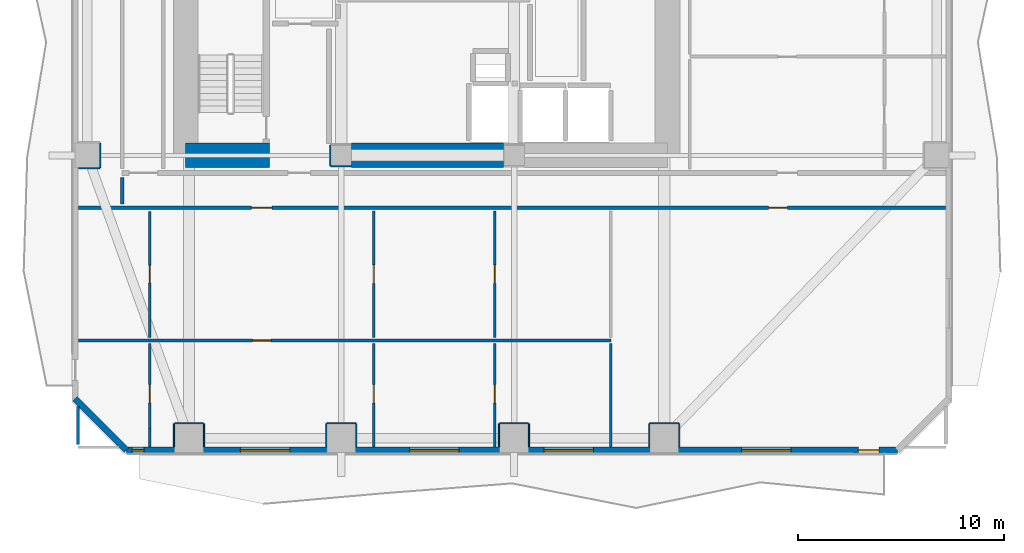
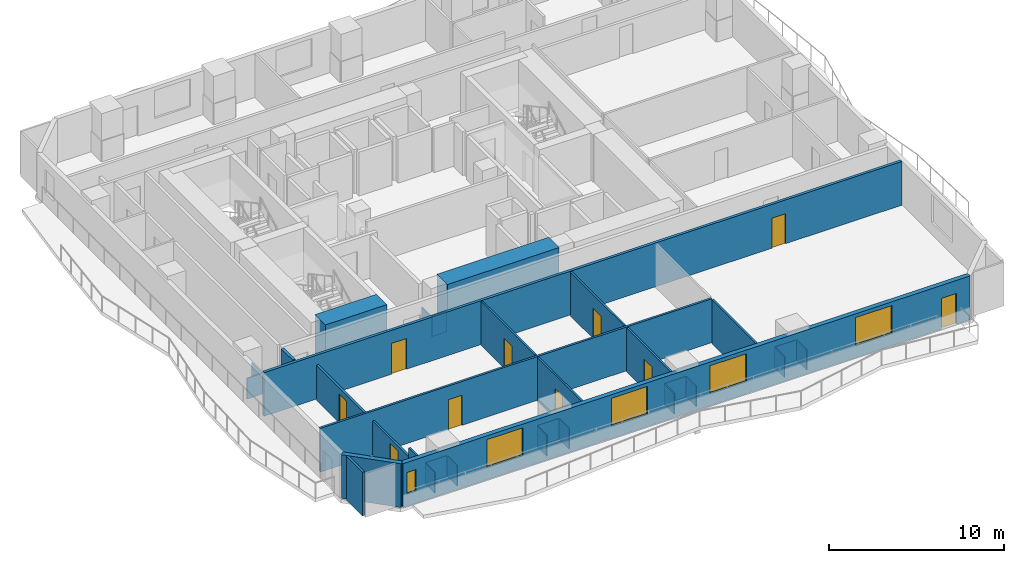
# One storey, part 2 of 9: 32 walls, 10 doors, 5 windows, 15 openings.
"""IFC4 building model written with IfcOpenShell, lengths in metres."""

from ifc_helpers import new_model, si_unit, direction, frame, frame_2d, origin, place, context, subcontext, project, spatial, rectangle, extrude, material, layer, layer_set, type_object, element, fill, save


model = new_model("IFC4")

# Units and contexts
model_context = context("Model", 3, precision=1e-05, world=origin(), true_north=direction((0.0, 1.0)))
body_context = subcontext(model_context, "Body", "Model", "MODEL_VIEW")
ifc_project = project(units=[si_unit("LENGTHUNIT", "METRE"), si_unit("AREAUNIT", "SQUARE_METRE"), si_unit("VOLUMEUNIT", "CUBIC_METRE"), si_unit("PLANEANGLEUNIT", "RADIAN"), si_unit("MASSUNIT", "GRAM", prefix="KILO")], contexts=[model_context])

# Site, building, storey
site_placement = place(None, origin())
site = spatial("IfcSite", under=ifc_project, at=site_placement, CompositionType="ELEMENT")
building_placement = place(site_placement, origin())
building = spatial("IfcBuilding", under=site, at=building_placement, Name="Solanera Arch Residences", CompositionType="ELEMENT")
storey_placement = place(building_placement, frame((0.0, 0.0, 55.199951171875)))
storey = spatial("IfcBuildingStorey", under=building, at=storey_placement, Name="L15", CompositionType="ELEMENT", Elevation=55.199951171875)

# Walls
ifc_material_1 = material(Name="Fire-Rated Gypsum Stud Partition", Category="gypsum")
ifc_layer_1 = layer(ifc_material_1, 0.06005859375)
ifc_layer_set_1 = layer_set([ifc_layer_1], Name="Fire-Rated Gypsum Stud Partition")
wall_type_1 = type_object("IfcWallType", Name="Column Acoustic Furring Wall 60", PredefinedType="PARTITIONING", material=ifc_layer_set_1)
wall_1_placement = place(storey_placement, frame((20.300048828125, 21.468017578125, 0.0), z_axis=(0.0, 0.0, 1.0), x_axis=(1.0, 0.0, 0.0)))
element("IfcWall", 1, at=wall_1_placement, inside=storey, type_object=wall_type_1, Name="L15 Column Furring 1S", PredefinedType="PARTITIONING", context=body_context, shape_type="SweptSolid", body=[
    extrude(rectangle(XDim=0.989990234375, YDim=0.06005859375, at=frame_2d((0.4951171875, 0.0))), origin(), (0.0, 0.0, 1.0), 1.449951171875),
])
wall_2_placement = place(storey_placement, frame((20.26806640625, 21.5, 0.0), z_axis=(0.0, 0.0, 1.0), x_axis=(0.0, 1.0, 0.0)))
element("IfcWall", 2, at=wall_2_placement, inside=storey, type_object=wall_type_1, Name="L15 Column Furring 1W", PredefinedType="PARTITIONING", context=body_context, shape_type="SweptSolid", body=[
    extrude(rectangle(XDim=1.0, YDim=0.06005859375, at=frame_2d((0.5, 0.0))), origin(), (0.0, 0.0, 1.0), 1.449951171875),
])
wall_3_placement = place(storey_placement, frame((12.699951171875, 8.98193359375, 0.0), z_axis=(0.0, 0.0, 1.0), x_axis=(1.0, 0.0, 0.0)))
element("IfcWall", 3, at=wall_3_placement, inside=storey, type_object=wall_type_1, Name="L15 Column Furring 9N", PredefinedType="PARTITIONING", context=body_context, shape_type="SweptSolid", body=[
    extrude(rectangle(XDim=1.400146484375, YDim=0.06005859375, at=frame_2d((0.7001953125, 0.0))), origin(), (0.0, 0.0, 1.0), 1.449951171875),
])
for number, where, z_axis, x_axis, name in (
    (4, (12.66796875, 7.830078125, 0.0), (0.0, 0.0, 1.0), (0.0, 1.0, 0.0), "L15 Column Furring 9W"),
    (5, (14.132080078125, 7.830078125, 0.0), (0.0, 0.0, 1.0), (0.0, 1.0, 0.0), "L15 Column Furring 9E"),
):
    element("IfcWall", number, at=place(storey_placement, frame(where, z_axis=z_axis, x_axis=x_axis)), inside=storey, type_object=wall_type_1, Name=name, PredefinedType="PARTITIONING", context=body_context, shape_type="SweptSolid", body=[
        extrude(rectangle(XDim=1.119873046875, YDim=0.06005859375, at=frame_2d((0.56005859375, 0.0))), origin(), (0.0, 0.0, 1.0), 1.449951171875),
    ])
wall_4_placement = place(storey_placement, frame((20.10009765625, 8.98193359375, 0.0), z_axis=(0.0, 0.0, 1.0), x_axis=(1.0, 0.0, 0.0)))
element("IfcWall", 6, at=wall_4_placement, inside=storey, type_object=wall_type_1, Name="L15 Column Furring 11N", PredefinedType="PARTITIONING", context=body_context, shape_type="SweptSolid", body=[
    extrude(rectangle(XDim=1.39990234375, YDim=0.06005859375, at=frame_2d((0.699951171875, 0.0))), origin(), (0.0, 0.0, 1.0), 1.449951171875),
])
for number, where, z_axis, x_axis, name in (
    (7, (20.068115234375, 7.830078125, 0.0), (0.0, 0.0, 1.0), (0.0, 1.0, 0.0), "L15 Column Furring 11W"),
    (8, (21.531982421875, 7.830078125, 0.0), (0.0, 0.0, 1.0), (0.0, 1.0, 0.0), "L15 Column Furring 11E"),
):
    element("IfcWall", number, at=place(storey_placement, frame(where, z_axis=z_axis, x_axis=x_axis)), inside=storey, type_object=wall_type_1, Name=name, PredefinedType="PARTITIONING", context=body_context, shape_type="SweptSolid", body=[
        extrude(rectangle(XDim=1.119873046875, YDim=0.06005859375, at=frame_2d((0.56005859375, 0.0))), origin(), (0.0, 0.0, 1.0), 1.449951171875),
    ])
wall_5_placement = place(storey_placement, frame((28.5, 8.98193359375, 0.0), z_axis=(0.0, 0.0, 1.0), x_axis=(1.0, 0.0, 0.0)))
element("IfcWall", 9, at=wall_5_placement, inside=storey, type_object=wall_type_1, Name="L15 Column Furring 13N", PredefinedType="PARTITIONING", context=body_context, shape_type="SweptSolid", body=[
    extrude(rectangle(XDim=1.39990234375, YDim=0.06005859375, at=frame_2d((0.699951171875, 0.0))), origin(), (0.0, 0.0, 1.0), 1.449951171875),
])
for number, where, z_axis, x_axis, name in (
    (10, (28.468017578125, 7.830078125, 0.0), (0.0, 0.0, 1.0), (0.0, 1.0, 0.0), "L15 Column Furring 13W"),
    (11, (29.931884765625, 7.830078125, 0.0), (0.0, 0.0, 1.0), (0.0, 1.0, 0.0), "L15 Column Furring 13E"),
):
    element("IfcWall", number, at=place(storey_placement, frame(where, z_axis=z_axis, x_axis=x_axis)), inside=storey, type_object=wall_type_1, Name=name, PredefinedType="PARTITIONING", context=body_context, shape_type="SweptSolid", body=[
        extrude(rectangle(XDim=1.119873046875, YDim=0.06005859375, at=frame_2d((0.56005859375, 0.0))), origin(), (0.0, 0.0, 1.0), 1.449951171875),
    ])
wall_6_placement = place(storey_placement, frame((35.800048828125, 8.98193359375, 0.0), z_axis=(0.0, 0.0, 1.0), x_axis=(1.0, 0.0, 0.0)))
element("IfcWall", 12, at=wall_6_placement, inside=storey, type_object=wall_type_1, Name="L15 Column Furring 15N", PredefinedType="PARTITIONING", context=body_context, shape_type="SweptSolid", body=[
    extrude(rectangle(XDim=1.39990234375, YDim=0.06005859375, at=frame_2d((0.699951171875, 0.0))), origin(), (0.0, 0.0, 1.0), 1.449951171875),
])
for number, where, z_axis, x_axis, name in (
    (13, (35.76806640625, 7.830078125, 0.0), (0.0, 0.0, 1.0), (0.0, 1.0, 0.0), "L15 Column Furring 15W"),
    (14, (37.23193359375, 7.830078125, 0.0), (0.0, 0.0, 1.0), (0.0, 1.0, 0.0), "L15 Column Furring 15E"),
):
    element("IfcWall", number, at=place(storey_placement, frame(where, z_axis=z_axis, x_axis=x_axis)), inside=storey, type_object=wall_type_1, Name=name, PredefinedType="PARTITIONING", context=body_context, shape_type="SweptSolid", body=[
        extrude(rectangle(XDim=1.119873046875, YDim=0.06005859375, at=frame_2d((0.56005859375, 0.0))), origin(), (0.0, 0.0, 1.0), 1.449951171875),
    ])
wall_7_placement = place(storey_placement, frame((8.030029296875, 21.367919921875, 0.0), z_axis=(0.0, 0.0, 1.0), x_axis=(1.0, 0.0, 0.0)))
element("IfcWall", 15, at=wall_7_placement, inside=storey, type_object=wall_type_1, Name="L15 Column Furring 17S", PredefinedType="PARTITIONING", context=body_context, shape_type="SweptSolid", body=[
    extrude(rectangle(XDim=1.02001953125, YDim=0.06005859375, at=frame_2d((0.510009765625, 0.0))), origin(), (0.0, 0.0, 1.0), 1.449951171875),
])
wall_8_placement = place(storey_placement, frame((9.08203125, 21.39990234375, 0.0), z_axis=(0.0, 0.0, 1.0), x_axis=(0.0, 1.0, 0.0)))
element("IfcWall", 16, at=wall_8_placement, inside=storey, type_object=wall_type_1, Name="L15 Column Furring 17E", PredefinedType="PARTITIONING", context=body_context, shape_type="SweptSolid", body=[
    extrude(rectangle(XDim=1.2001953125, YDim=0.06005859375, at=frame_2d((0.60009765625, 0.0))), origin(), (0.0, 0.0, 1.0), 1.449951171875),
])
ifc_material_2 = material(Name="Concrete C55/67 (f'c = 60 MPa)", Category="concrete")
ifc_layer_2 = layer(ifc_material_2, 1.199951171875)
ifc_layer_set_2 = layer_set([ifc_layer_2], Name="Concrete C55/67 (f'c = 60 MPa)")
wall_type_2 = type_object("IfcWallType", Name="Core Shear Wall CW-1200", PredefinedType="SHEAR", material=ifc_layer_set_2)
wall_9_placement = place(storey_placement, frame((13.239990234375, 22.0, 0.0), z_axis=(0.0, 0.0, 1.0), x_axis=(1.0, 0.0, 0.0)))
element("IfcWall", 17, at=wall_9_placement, inside=storey, type_object=wall_type_2, Name="L15 South-West Core Shear Wall", PredefinedType="SHEAR", context=body_context, shape_type="SweptSolid", body=[
    extrude(rectangle(XDim=4.080078125, YDim=1.199951171875, at=frame_2d((2.0400390625, 0.0))), origin(), (0.0, 0.0, 1.0), 3.320068359375),
])
wall_10_placement = place(storey_placement, frame((21.304931640625, 22.0, 0.0), z_axis=(0.0, 0.0, 1.0), x_axis=(1.0, 0.0, 0.0)))
element("IfcWall", 18, at=wall_10_placement, inside=storey, type_object=wall_type_2, Name="L15 Central South Core Shear Wall", PredefinedType="SHEAR", context=body_context, shape_type="SweptSolid", body=[
    extrude(rectangle(XDim=7.39013671875, YDim=1.199951171875, at=frame_2d((3.695068359375, 0.0))), origin(), (0.0, 0.0, 1.0), 3.320068359375),
])

# Wall, openings, doors
ifc_material_3 = material(Name="Autoclaved Aerated Concrete Blockwork", Category="masonry")
ifc_layer_3 = layer(ifc_material_3, 0.179931640625)
ifc_layer_set_3 = layer_set([ifc_layer_3], Name="Autoclaved Aerated Concrete Blockwork")
wall_type_3 = type_object("IfcWallType", Name="Corridor Fire Partition 180", PredefinedType="PARTITIONING", material=ifc_layer_set_3)
wall_11_placement = place(storey_placement, frame((8.027099609375, 19.449951171875, 0.0), z_axis=(0.0, 0.0, 1.0), x_axis=(1.0, 0.0, 0.0)))
wall_11 = element("IfcWall", 19, at=wall_11_placement, inside=storey, type_object=wall_type_3, Name="L15 Interior Partition H6", PredefinedType="PARTITIONING", context=body_context, shape_type="SweptSolid", body=[
    extrude(rectangle(XDim=42.14599609375, YDim=0.179931640625, at=frame_2d((21.072998046875, 0.0))), origin(), (0.0, 0.0, 1.0), 3.06005859375),
])
opening_1_placement = place(wall_11_placement, frame((8.408935546875, 0.0, 0.0)))
opening_1 = element("IfcOpeningElement", 20, at=opening_1_placement, cuts=wall_11, Name="Opening DI-01", PredefinedType="OPENING", context=body_context, shape_type="SweptSolid", body=[
    extrude(rectangle(XDim=1.0, YDim=2.14990234375, at=frame_2d((0.5, 1.074951171875))), frame((0.0, 0.10009765625, 0.0), z_axis=(0.0, -1.0, 0.0), x_axis=(1.0, 0.0, 0.0)), (0.0, 0.0, 1.0), 0.1999),
])
opening_2_placement = place(wall_11_placement, frame((33.552978515625, 0.0, 0.0)))
opening_2 = element("IfcOpeningElement", 21, at=opening_2_placement, cuts=wall_11, Name="Opening DI-02", PredefinedType="OPENING", context=body_context, shape_type="SweptSolid", body=[
    extrude(rectangle(XDim=0.89990234375, YDim=2.10009765625, at=frame_2d((0.449951171875, 1.050048828125))), frame((0.0, 0.10009765625, 0.0), z_axis=(0.0, -1.0, 0.0), x_axis=(1.0, 0.0, 0.0)), (0.0, 0.0, 1.0), 0.1999),
])
ifc_material_4 = material(Name="Fire-Rated Architectural Hardwood", Category="wood")
door_type_1 = type_object("IfcDoorType", Name="Suite Room Swing Door DI-02", OperationType="NOTDEFINED", PredefinedType="DOOR", material=ifc_material_4)
door_1_placement = place(opening_2_placement, origin())
door_1 = element("IfcDoor", 22, at=door_1_placement, inside=storey, type_object=door_type_1, Name="DR-L15-IN-021", OperationType="SINGLE_SWING_LEFT", OverallHeight=2.10009765625, OverallWidth=0.89990234375, PredefinedType="DOOR", context=body_context, shape_type="SweptSolid", body=[
    extrude(rectangle(XDim=0.89990234375, YDim=2.10009765625, at=frame_2d((0.449951171875, 1.050048828125))), frame((0.0, 0.02490234375, 0.0), z_axis=(0.0, -1.0, 0.0), x_axis=(1.0, 0.0, 0.0)), (0.0, 0.0, 1.0), 0.050048828125),
])
fill(opening_2, door_1)
ifc_material_5 = material(Name="Fire-Rated Architectural Hardwood", Category="wood")
door_type_2 = type_object("IfcDoorType", Name="Unit Entrance Fire Door DI-01", OperationType="NOTDEFINED", PredefinedType="DOOR", material=ifc_material_5)
door_2_placement = place(opening_1_placement, origin())
door_2 = element("IfcDoor", 23, at=door_2_placement, inside=storey, type_object=door_type_2, Name="DR-L15-IN-013", OperationType="SINGLE_SWING_LEFT", OverallHeight=2.14990234375, OverallWidth=1.0, PredefinedType="DOOR", context=body_context, shape_type="SweptSolid", body=[
    extrude(rectangle(XDim=1.0, YDim=2.14990234375, at=frame_2d((0.5, 1.074951171875))), frame((0.0, 0.02490234375, 0.0), z_axis=(0.0, -1.0, 0.0), x_axis=(1.0, 0.0, 0.0)), (0.0, 0.0, 1.0), 0.050048828125),
])
fill(opening_1, door_2)

# Wall
wall_12_placement = place(storey_placement, frame((10.14990234375, 19.637939453125, 0.0), z_axis=(0.0, 0.0, 1.0), x_axis=(0.0, 1.0, 0.0)))
element("IfcWall", 24, at=wall_12_placement, inside=storey, type_object=wall_type_3, Name="L15 Interior Partition V6 1", PredefinedType="PARTITIONING", context=body_context, shape_type="SweptSolid", body=[
    extrude(rectangle(XDim=1.2939453125, YDim=0.179931640625, at=frame_2d((0.64697265625, 0.0))), origin(), (0.0, 0.0, 1.0), 3.06005859375),
])

# Wall, openings, door, windows
ifc_material_6 = material(Name="Precast Concrete C35/45", Category="concrete")
ifc_layer_4 = layer(ifc_material_6, 0.300048828125)
ifc_layer_set_4 = layer_set([ifc_layer_4], Name="Precast Concrete C35/45")
wall_type_4 = type_object("IfcWallType", Name="Exterior Wall Precast Masonry-Frame 300", PredefinedType="STANDARD", material=ifc_layer_set_4)
wall_13_placement = place(storey_placement, frame((47.8349609375, 7.6650390625, 0.0), z_axis=(0.0, 0.0, 1.0), x_axis=(-1.0, 0.0, 0.0)))
wall_13 = element("IfcWall", 25, at=wall_13_placement, inside=storey, type_object=wall_type_4, Name="L15 Tower Exterior Precast Masonry-Frame Wall S", PredefinedType="STANDARD", context=body_context, shape_type="SweptSolid", body=[
    extrude(rectangle(XDim=37.469970703125, YDim=0.300048828125, at=frame_2d((18.73486328125, 0.0))), origin(), (0.0, 0.0, 1.0), 3.06005859375),
])
opening_3_placement = place(wall_13_placement, frame((0.90087890625, 0.0, 0.0)))
opening_3 = element("IfcOpeningElement", 26, at=opening_3_placement, cuts=wall_13, Name="Opening DB-01", PredefinedType="OPENING", context=body_context, shape_type="SweptSolid", body=[
    extrude(rectangle(XDim=1.0, YDim=2.14990234375, at=frame_2d((0.5, 1.074951171875))), frame((0.0, 0.159912109375, 0.0), z_axis=(0.0, -1.0, 0.0), x_axis=(1.0, 0.0, 0.0)), (0.0, 0.0, 1.0), 0.32),
])
opening_4_placement = place(wall_13_placement, frame((29.534912109375, 0.0, 0.85009765625)))
opening_4 = element("IfcOpeningElement", 27, at=opening_4_placement, cuts=wall_13, Name="Opening W-05", PredefinedType="OPENING", context=body_context, shape_type="SweptSolid", body=[
    extrude(rectangle(XDim=2.39990234375, YDim=1.949951171875, at=frame_2d((1.199951171875, 0.97509765625))), frame((0.0, 0.159912109375, 0.0), z_axis=(0.0, -1.0, 0.0), x_axis=(1.0, 0.0, 0.0)), (0.0, 0.0, 1.0), 0.32),
])
opening_5_placement = place(wall_13_placement, frame((36.6220703125, 0.0, 0.85009765625)))
opening_5 = element("IfcOpeningElement", 28, at=opening_5_placement, cuts=wall_13, Name="Opening W-14", PredefinedType="OPENING", context=body_context, shape_type="SweptSolid", body=[
    extrude(rectangle(XDim=0.580078125, YDim=1.5, at=frame_2d((0.2900390625, 0.75))), frame((0.0, 0.159912109375, 0.0), z_axis=(0.0, -1.0, 0.0), x_axis=(1.0, 0.0, 0.0)), (0.0, 0.0, 1.0), 0.32),
])
opening_6_placement = place(wall_13_placement, frame((21.30908203125, 0.0, 0.85009765625)))
opening_6 = element("IfcOpeningElement", 29, at=opening_6_placement, cuts=wall_13, Name="Opening W-05", PredefinedType="OPENING", context=body_context, shape_type="SweptSolid", body=[
    extrude(rectangle(XDim=2.39990234375, YDim=1.949951171875, at=frame_2d((1.199951171875, 0.97509765625))), frame((0.0, 0.159912109375, 0.0), z_axis=(0.0, -1.0, 0.0), x_axis=(1.0, 0.0, 0.0)), (0.0, 0.0, 1.0), 0.32),
])
opening_7_placement = place(wall_13_placement, frame((14.781005859375, 0.0, 0.85009765625)))
opening_7 = element("IfcOpeningElement", 30, at=opening_7_placement, cuts=wall_13, Name="Opening W-05", PredefinedType="OPENING", context=body_context, shape_type="SweptSolid", body=[
    extrude(rectangle(XDim=2.39990234375, YDim=1.949951171875, at=frame_2d((1.199951171875, 0.97509765625))), frame((0.0, 0.159912109375, 0.0), z_axis=(0.0, -1.0, 0.0), x_axis=(1.0, 0.0, 0.0)), (0.0, 0.0, 1.0), 0.32),
])
opening_8_placement = place(wall_13_placement, frame((5.16796875, 0.0, 0.85009765625)))
opening_8 = element("IfcOpeningElement", 31, at=opening_8_placement, cuts=wall_13, Name="Opening W-05", PredefinedType="OPENING", context=body_context, shape_type="SweptSolid", body=[
    extrude(rectangle(XDim=2.39990234375, YDim=1.949951171875, at=frame_2d((1.199951171875, 0.97509765625))), frame((0.0, 0.159912109375, 0.0), z_axis=(0.0, -1.0, 0.0), x_axis=(1.0, 0.0, 0.0)), (0.0, 0.0, 1.0), 0.32),
])
ifc_material_7 = material(Name="Anodised Aluminium Alloy 6063-T6", Category="aluminium")
door_type_3 = type_object("IfcDoorType", Name="Glazed Balcony Swing Door DB-01", OperationType="NOTDEFINED", PredefinedType="DOOR", material=ifc_material_7)
door_3_placement = place(opening_3_placement, origin())
door_3 = element("IfcDoor", 32, at=door_3_placement, inside=storey, type_object=door_type_3, Name="DR-L15-OUT-01", OperationType="SINGLE_SWING_LEFT", OverallHeight=2.14990234375, OverallWidth=1.0, PredefinedType="DOOR", context=body_context, shape_type="SweptSolid", body=[
    extrude(rectangle(XDim=1.0, YDim=2.14990234375, at=frame_2d((0.5, 1.074951171875))), frame((0.0, 0.02490234375, 0.0), z_axis=(0.0, -1.0, 0.0), x_axis=(1.0, 0.0, 0.0)), (0.0, 0.0, 1.0), 0.050048828125),
])
fill(opening_3, door_3)
ifc_material_8 = material(Name="Double Glazed Low-E Laminated Glass", Category="glass")
window_type_1 = type_object("IfcWindowType", Name="Punched Window W-05", PartitioningType="TRIPLE_PANEL_VERTICAL", PredefinedType="WINDOW", material=ifc_material_8)
window_1_placement = place(opening_4_placement, origin())
window_1 = element("IfcWindow", 33, at=window_1_placement, inside=storey, type_object=window_type_1, Name="L15 1501-LIV Punched Window", OverallHeight=1.949951171875, OverallWidth=2.39990234375, PartitioningType="SINGLE_PANEL", PredefinedType="WINDOW", context=body_context, shape_type="SweptSolid", body=[
    extrude(rectangle(XDim=2.39990234375, YDim=1.949951171875, at=frame_2d((1.199951171875, 0.97509765625))), frame((0.0, 0.030029296875, 0.0), z_axis=(0.0, -1.0, 0.0), x_axis=(1.0, 0.0, 0.0)), (0.0, 0.0, 1.0), 0.06005859375),
])
fill(opening_4, window_1)
window_2_placement = place(opening_6_placement, origin())
window_2 = element("IfcWindow", 34, at=window_2_placement, inside=storey, type_object=window_type_1, Name="L15 1501-BR2 Punched Window", OverallHeight=1.949951171875, OverallWidth=2.39990234375, PartitioningType="SINGLE_PANEL", PredefinedType="WINDOW", context=body_context, shape_type="SweptSolid", body=[
    extrude(rectangle(XDim=2.39990234375, YDim=1.949951171875, at=frame_2d((1.199951171875, 0.97509765625))), frame((0.0, 0.030029296875, 0.0), z_axis=(0.0, -1.0, 0.0), x_axis=(1.0, 0.0, 0.0)), (0.0, 0.0, 1.0), 0.06005859375),
])
fill(opening_6, window_2)
window_3_placement = place(opening_7_placement, origin())
window_3 = element("IfcWindow", 35, at=window_3_placement, inside=storey, type_object=window_type_1, Name="L15 1501-BR3 Punched Window", OverallHeight=1.949951171875, OverallWidth=2.39990234375, PartitioningType="SINGLE_PANEL", PredefinedType="WINDOW", context=body_context, shape_type="SweptSolid", body=[
    extrude(rectangle(XDim=2.39990234375, YDim=1.949951171875, at=frame_2d((1.199951171875, 0.97509765625))), frame((0.0, 0.030029296875, 0.0), z_axis=(0.0, -1.0, 0.0), x_axis=(1.0, 0.0, 0.0)), (0.0, 0.0, 1.0), 0.06005859375),
])
fill(opening_7, window_3)
window_4_placement = place(opening_8_placement, origin())
window_4 = element("IfcWindow", 36, at=window_4_placement, inside=storey, type_object=window_type_1, Name="L15 AMN-LNG Punched Window", OverallHeight=1.949951171875, OverallWidth=2.39990234375, PartitioningType="SINGLE_PANEL", PredefinedType="WINDOW", context=body_context, shape_type="SweptSolid", body=[
    extrude(rectangle(XDim=2.39990234375, YDim=1.949951171875, at=frame_2d((1.199951171875, 0.97509765625))), frame((0.0, 0.030029296875, 0.0), z_axis=(0.0, -1.0, 0.0), x_axis=(1.0, 0.0, 0.0)), (0.0, 0.0, 1.0), 0.06005859375),
])
fill(opening_8, window_4)
ifc_material_9 = material(Name="Double Glazed Low-E Laminated Glass", Category="glass")
window_type_2 = type_object("IfcWindowType", Name="Punched Window W-14", PartitioningType="SINGLE_PANEL", PredefinedType="WINDOW", material=ifc_material_9)
window_5_placement = place(opening_5_placement, origin())
window_5 = element("IfcWindow", 37, at=window_5_placement, inside=storey, type_object=window_type_2, Name="L15 1501-BR1 Punched Window", OverallHeight=1.5, OverallWidth=0.580078125, PartitioningType="SINGLE_PANEL", PredefinedType="WINDOW", context=body_context, shape_type="SweptSolid", body=[
    extrude(rectangle(XDim=0.580078125, YDim=1.5, at=frame_2d((0.2900390625, 0.75))), frame((0.0, 0.030029296875, 0.0), z_axis=(0.0, -1.0, 0.0), x_axis=(1.0, 0.0, 0.0)), (0.0, 0.0, 1.0), 0.06005859375),
])
fill(opening_5, window_5)

# Wall
wall_14_placement = place(storey_placement, frame((10.364990234375, 7.6650390625, 0.0), z_axis=(0.0, 0.0, 1.0), x_axis=(-0.707106781187, 0.707106781187, 0.0)))
element("IfcWall", 38, at=wall_14_placement, inside=storey, type_object=wall_type_4, Name="L15 Tower Exterior Precast Masonry-Frame Wall CH7", PredefinedType="STANDARD", context=body_context, shape_type="SweptSolid", body=[
    extrude(rectangle(XDim=3.53564453125, YDim=0.300048828125, at=frame_2d((1.767822265625, 0.0))), origin(), (0.0, 0.0, 1.0), 3.06005859375),
])

# Wall, opening, door
ifc_material_10 = material(Name="Fire-Rated Gypsum Stud Partition", Category="gypsum")
ifc_layer_5 = layer(ifc_material_10, 0.1201171875)
ifc_layer_set_5 = layer_set([ifc_layer_5], Name="Fire-Rated Gypsum Stud Partition")
wall_type_5 = type_object("IfcWallType", Name="Unit Drywall Partition 120", PredefinedType="PARTITIONING", material=ifc_layer_set_5)
wall_15_placement = place(storey_placement, frame((22.3798828125, 7.826904296875, 0.0), z_axis=(0.0, 0.0, 1.0), x_axis=(0.0, 1.0, 0.0)))
wall_15 = element("IfcWall", 39, at=wall_15_placement, inside=storey, type_object=wall_type_5, Name="L15 Interior Partition V17 1", PredefinedType="PARTITIONING", context=body_context, shape_type="SweptSolid", body=[
    extrude(rectangle(XDim=5.03515625, YDim=0.1201171875, at=frame_2d((2.517578125, 0.0))), origin(), (0.0, 0.0, 1.0), 3.06005859375),
])
opening_9_placement = place(wall_15_placement, frame((2.123046875, 0.0, 0.0)))
opening_9 = element("IfcOpeningElement", 40, at=opening_9_placement, cuts=wall_15, Name="Opening DI-03", PredefinedType="OPENING", context=body_context, shape_type="SweptSolid", body=[
    extrude(rectangle(XDim=0.89990234375, YDim=2.10009765625, at=frame_2d((0.449951171875, 1.050048828125))), frame((0.0, 0.070068359375, 0.0), z_axis=(0.0, -1.0, 0.0), x_axis=(1.0, 0.0, 0.0)), (0.0, 0.0, 1.0), 0.1401),
])
ifc_material_11 = material(Name="Fire-Rated Architectural Hardwood", Category="wood")
door_type_4 = type_object("IfcDoorType", Name="Bedroom Swing Door DI-03", OperationType="NOTDEFINED", PredefinedType="DOOR", material=ifc_material_11)
door_4_placement = place(opening_9_placement, origin())
door_4 = element("IfcDoor", 41, at=door_4_placement, inside=storey, type_object=door_type_4, Name="DR-L15-IN-019", OperationType="SINGLE_SWING_LEFT", OverallHeight=2.10009765625, OverallWidth=0.89990234375, PredefinedType="DOOR", context=body_context, shape_type="SweptSolid", body=[
    extrude(rectangle(XDim=0.89990234375, YDim=2.10009765625, at=frame_2d((0.449951171875, 1.050048828125))), frame((0.0, 0.02490234375, 0.0), z_axis=(0.0, -1.0, 0.0), x_axis=(1.0, 0.0, 0.0)), (0.0, 0.0, 1.0), 0.050048828125),
])
fill(opening_9, door_4)

wall_16_placement = place(storey_placement, frame((22.3798828125, 13.137939453125, 0.0), z_axis=(0.0, 0.0, 1.0), x_axis=(0.0, 1.0, 0.0)))
wall_16 = element("IfcWall", 42, at=wall_16_placement, inside=storey, type_object=wall_type_5, Name="L15 Interior Partition V17 2", PredefinedType="PARTITIONING", context=body_context, shape_type="SweptSolid", body=[
    extrude(rectangle(XDim=6.154052734375, YDim=0.1201171875, at=frame_2d((3.0771484375, 0.0))), origin(), (0.0, 0.0, 1.0), 3.06005859375),
])
opening_10_placement = place(wall_16_placement, frame((2.636962890625, 0.0, 0.0)))
opening_10 = element("IfcOpeningElement", 43, at=opening_10_placement, cuts=wall_16, Name="Opening DI-02", PredefinedType="OPENING", context=body_context, shape_type="SweptSolid", body=[
    extrude(rectangle(XDim=0.89990234375, YDim=2.10009765625, at=frame_2d((0.449951171875, 1.050048828125))), frame((0.0, 0.070068359375, 0.0), z_axis=(0.0, -1.0, 0.0), x_axis=(1.0, 0.0, 0.0)), (0.0, 0.0, 1.0), 0.1401),
])
door_5_placement = place(opening_10_placement, origin())
door_5 = element("IfcDoor", 44, at=door_5_placement, inside=storey, type_object=door_type_1, Name="DR-L15-IN-017", OperationType="SINGLE_SWING_LEFT", OverallHeight=2.10009765625, OverallWidth=0.89990234375, PredefinedType="DOOR", context=body_context, shape_type="SweptSolid", body=[
    extrude(rectangle(XDim=0.89990234375, YDim=2.10009765625, at=frame_2d((0.449951171875, 1.050048828125))), frame((0.0, 0.02490234375, 0.0), z_axis=(0.0, -1.0, 0.0), x_axis=(1.0, 0.0, 0.0)), (0.0, 0.0, 1.0), 0.050048828125),
])
fill(opening_10, door_5)

wall_17_placement = place(storey_placement, frame((28.27099609375, 7.826904296875, 0.0), z_axis=(0.0, 0.0, 1.0), x_axis=(0.0, 1.0, 0.0)))
wall_17 = element("IfcWall", 45, at=wall_17_placement, inside=storey, type_object=wall_type_5, Name="L15 Interior Partition V19 1", PredefinedType="PARTITIONING", context=body_context, shape_type="SweptSolid", body=[
    extrude(rectangle(XDim=5.03515625, YDim=0.1201171875, at=frame_2d((2.517578125, 0.0))), origin(), (0.0, 0.0, 1.0), 3.06005859375),
])
opening_11_placement = place(wall_17_placement, frame((2.123046875, 0.0, 0.0)))
opening_11 = element("IfcOpeningElement", 46, at=opening_11_placement, cuts=wall_17, Name="Opening DI-03", PredefinedType="OPENING", context=body_context, shape_type="SweptSolid", body=[
    extrude(rectangle(XDim=0.89990234375, YDim=2.10009765625, at=frame_2d((0.449951171875, 1.050048828125))), frame((0.0, 0.070068359375, 0.0), z_axis=(0.0, -1.0, 0.0), x_axis=(1.0, 0.0, 0.0)), (0.0, 0.0, 1.0), 0.1401),
])
door_6_placement = place(opening_11_placement, origin())
door_6 = element("IfcDoor", 47, at=door_6_placement, inside=storey, type_object=door_type_4, Name="DR-L15-IN-020", OperationType="SINGLE_SWING_RIGHT", OverallHeight=2.10009765625, OverallWidth=0.89990234375, PredefinedType="DOOR", context=body_context, shape_type="SweptSolid", body=[
    extrude(rectangle(XDim=0.89990234375, YDim=2.10009765625, at=frame_2d((0.449951171875, 1.050048828125))), frame((0.0, 0.02490234375, 0.0), z_axis=(0.0, -1.0, 0.0), x_axis=(1.0, 0.0, 0.0)), (0.0, 0.0, 1.0), 0.050048828125),
])
fill(opening_11, door_6)

wall_18_placement = place(storey_placement, frame((28.27099609375, 13.137939453125, 0.0), z_axis=(0.0, 0.0, 1.0), x_axis=(0.0, 1.0, 0.0)))
wall_18 = element("IfcWall", 48, at=wall_18_placement, inside=storey, type_object=wall_type_5, Name="L15 Interior Partition V19 2", PredefinedType="PARTITIONING", context=body_context, shape_type="SweptSolid", body=[
    extrude(rectangle(XDim=6.154052734375, YDim=0.1201171875, at=frame_2d((3.0771484375, 0.0))), origin(), (0.0, 0.0, 1.0), 3.06005859375),
])
opening_12_placement = place(wall_18_placement, frame((2.636962890625, 0.0, 0.0)))
opening_12 = element("IfcOpeningElement", 49, at=opening_12_placement, cuts=wall_18, Name="Opening DI-02", PredefinedType="OPENING", context=body_context, shape_type="SweptSolid", body=[
    extrude(rectangle(XDim=0.89990234375, YDim=2.10009765625, at=frame_2d((0.449951171875, 1.050048828125))), frame((0.0, 0.070068359375, 0.0), z_axis=(0.0, -1.0, 0.0), x_axis=(1.0, 0.0, 0.0)), (0.0, 0.0, 1.0), 0.1401),
])
door_7_placement = place(opening_12_placement, origin())
door_7 = element("IfcDoor", 50, at=door_7_placement, inside=storey, type_object=door_type_1, Name="DR-L15-IN-018", OperationType="SINGLE_SWING_RIGHT", OverallHeight=2.10009765625, OverallWidth=0.89990234375, PredefinedType="DOOR", context=body_context, shape_type="SweptSolid", body=[
    extrude(rectangle(XDim=0.89990234375, YDim=2.10009765625, at=frame_2d((0.449951171875, 1.050048828125))), frame((0.0, 0.02490234375, 0.0), z_axis=(0.0, -1.0, 0.0), x_axis=(1.0, 0.0, 0.0)), (0.0, 0.0, 1.0), 0.050048828125),
])
fill(opening_12, door_7)

# Wall
wall_19_placement = place(storey_placement, frame((33.907958984375, 7.826904296875, 0.0), z_axis=(0.0, 0.0, 1.0), x_axis=(0.0, 1.0, 0.0)))
element("IfcWall", 51, at=wall_19_placement, inside=storey, type_object=wall_type_5, Name="L15 Interior Partition V20 1", PredefinedType="PARTITIONING", context=body_context, shape_type="SweptSolid", body=[
    extrude(rectangle(XDim=5.03515625, YDim=0.1201171875, at=frame_2d((2.517578125, 0.0))), origin(), (0.0, 0.0, 1.0), 3.06005859375),
])

# Wall, opening, door
ifc_material_12 = material(Name="Autoclaved Aerated Concrete Blockwork", Category="masonry")
ifc_layer_6 = layer(ifc_material_12, 0.139892578125)
ifc_layer_set_6 = layer_set([ifc_layer_6], Name="Autoclaved Aerated Concrete Blockwork")
wall_type_6 = type_object("IfcWallType", Name="Wet-Room Partition 140", PredefinedType="PARTITIONING", material=ifc_layer_set_6)
wall_20_placement = place(storey_placement, frame((8.027099609375, 13.0, 0.0), z_axis=(0.0, 0.0, 1.0), x_axis=(1.0, 0.0, 0.0)))
wall_20 = element("IfcWall", 52, at=wall_20_placement, inside=storey, type_object=wall_type_6, Name="L15 Interior Partition H12", PredefinedType="PARTITIONING", context=body_context, shape_type="SweptSolid", body=[
    extrude(rectangle(XDim=25.880859375, YDim=0.139892578125, at=frame_2d((12.9404296875, 0.0))), origin(), (0.0, 0.0, 1.0), 3.06005859375),
])
opening_13_placement = place(wall_20_placement, frame((8.458984375, 0.0, 0.0)))
opening_13 = element("IfcOpeningElement", 53, at=opening_13_placement, cuts=wall_20, Name="Opening DI-02", PredefinedType="OPENING", context=body_context, shape_type="SweptSolid", body=[
    extrude(rectangle(XDim=0.89990234375, YDim=2.10009765625, at=frame_2d((0.449951171875, 1.050048828125))), frame((0.0, 0.079833984375, 0.0), z_axis=(0.0, -1.0, 0.0), x_axis=(1.0, 0.0, 0.0)), (0.0, 0.0, 1.0), 0.1599),
])
door_8_placement = place(opening_13_placement, origin())
door_8 = element("IfcDoor", 54, at=door_8_placement, inside=storey, type_object=door_type_1, Name="DR-L15-IN-014", OperationType="SINGLE_SWING_RIGHT", OverallHeight=2.10009765625, OverallWidth=0.89990234375, PredefinedType="DOOR", context=body_context, shape_type="SweptSolid", body=[
    extrude(rectangle(XDim=0.89990234375, YDim=2.10009765625, at=frame_2d((0.449951171875, 1.050048828125))), frame((0.0, 0.02490234375, 0.0), z_axis=(0.0, -1.0, 0.0), x_axis=(1.0, 0.0, 0.0)), (0.0, 0.0, 1.0), 0.050048828125),
])
fill(opening_13, door_8)

# Walls
wall_21_placement = place(storey_placement, frame((8.0, 7.93798828125, 0.0), z_axis=(0.0, 0.0, 1.0), x_axis=(0.0, 1.0, 0.0)))
element("IfcWall", 55, at=wall_21_placement, inside=storey, type_object=wall_type_6, Name="L15 Interior Partition V10", PredefinedType="PARTITIONING", context=body_context, shape_type="SweptSolid", body=[
    extrude(rectangle(XDim=1.863037109375, YDim=0.139892578125, at=frame_2d((0.931640625, 0.0))), origin(), (0.0, 0.0, 1.0), 3.06005859375),
])
wall_22_placement = place(storey_placement, frame((11.491943359375, 7.826904296875, 0.0), z_axis=(0.0, 0.0, 1.0), x_axis=(0.0, 1.0, 0.0)))
element("IfcWall", 56, at=wall_22_placement, inside=storey, type_object=wall_type_6, Name="L15 Interior Partition V13 1", PredefinedType="PARTITIONING", context=body_context, shape_type="SweptSolid", body=[
    extrude(rectangle(XDim=0.89111328125, YDim=0.139892578125, at=frame_2d((0.445556640625, 0.0))), origin(), (0.0, 0.0, 1.0), 3.06005859375),
])

# Wall, opening, door
wall_23_placement = place(storey_placement, frame((11.491943359375, 8.718017578125, 0.0), z_axis=(0.0, 0.0, 1.0), x_axis=(0.0, 1.0, 0.0)))
wall_23 = element("IfcWall", 57, at=wall_23_placement, inside=storey, type_object=wall_type_6, Name="L15 Interior Partition V13 2", PredefinedType="PARTITIONING", context=body_context, shape_type="SweptSolid", body=[
    extrude(rectangle(XDim=4.134033203125, YDim=0.139892578125, at=frame_2d((2.06689453125, 0.0))), origin(), (0.0, 0.0, 1.0), 2.445068359375),
])
opening_14_placement = place(wall_23_placement, frame((1.23193359375, 0.0, 0.0)))
opening_14 = element("IfcOpeningElement", 58, at=opening_14_placement, cuts=wall_23, Name="Opening DI-03", PredefinedType="OPENING", context=body_context, shape_type="SweptSolid", body=[
    extrude(rectangle(XDim=0.89990234375, YDim=2.10009765625, at=frame_2d((0.449951171875, 1.050048828125))), frame((0.0, 0.079833984375, 0.0), z_axis=(0.0, -1.0, 0.0), x_axis=(1.0, 0.0, 0.0)), (0.0, 0.0, 1.0), 0.1599),
])
door_9_placement = place(opening_14_placement, origin())
door_9 = element("IfcDoor", 59, at=door_9_placement, inside=storey, type_object=door_type_4, Name="DR-L15-IN-016", OperationType="SINGLE_SWING_RIGHT", OverallHeight=2.10009765625, OverallWidth=0.89990234375, PredefinedType="DOOR", context=body_context, shape_type="SweptSolid", body=[
    extrude(rectangle(XDim=0.89990234375, YDim=2.10009765625, at=frame_2d((0.449951171875, 1.050048828125))), frame((0.0, 0.02490234375, 0.0), z_axis=(0.0, -1.0, 0.0), x_axis=(1.0, 0.0, 0.0)), (0.0, 0.0, 1.0), 0.050048828125),
])
fill(opening_14, door_9)

wall_24_placement = place(storey_placement, frame((11.491943359375, 13.14794921875, 0.0), z_axis=(0.0, 0.0, 1.0), x_axis=(0.0, 1.0, 0.0)))
wall_24 = element("IfcWall", 60, at=wall_24_placement, inside=storey, type_object=wall_type_6, Name="L15 Interior Partition V13 3", PredefinedType="PARTITIONING", context=body_context, shape_type="SweptSolid", body=[
    extrude(rectangle(XDim=6.134033203125, YDim=0.139892578125, at=frame_2d((3.06689453125, 0.0))), origin(), (0.0, 0.0, 1.0), 2.445068359375),
])
opening_15_placement = place(wall_24_placement, frame((2.64697265625, 0.0, 0.0)))
opening_15 = element("IfcOpeningElement", 61, at=opening_15_placement, cuts=wall_24, Name="Opening DI-05", PredefinedType="OPENING", context=body_context, shape_type="SweptSolid", body=[
    extrude(rectangle(XDim=0.860107421875, YDim=2.02001953125, at=frame_2d((0.43017578125, 1.010009765625))), frame((0.0, 0.079833984375, 0.0), z_axis=(0.0, -1.0, 0.0), x_axis=(1.0, 0.0, 0.0)), (0.0, 0.0, 1.0), 0.1599),
])
ifc_material_13 = material(Name="Fire-Rated Architectural Hardwood", Category="wood")
door_type_5 = type_object("IfcDoorType", Name="Bathroom Swing Door DI-05", OperationType="NOTDEFINED", PredefinedType="DOOR", material=ifc_material_13)
door_10_placement = place(opening_15_placement, origin())
door_10 = element("IfcDoor", 62, at=door_10_placement, inside=storey, type_object=door_type_5, Name="DR-L15-IN-015", OperationType="SINGLE_SWING_LEFT", OverallHeight=2.02001953125, OverallWidth=0.860107421875, PredefinedType="DOOR", context=body_context, shape_type="SweptSolid", body=[
    extrude(rectangle(XDim=0.860107421875, YDim=2.02001953125, at=frame_2d((0.43017578125, 1.010009765625))), frame((0.0, 0.02490234375, 0.0), z_axis=(0.0, -1.0, 0.0), x_axis=(1.0, 0.0, 0.0)), (0.0, 0.0, 1.0), 0.050048828125),
])
fill(opening_15, door_10)

save(model, "model.ifc")
